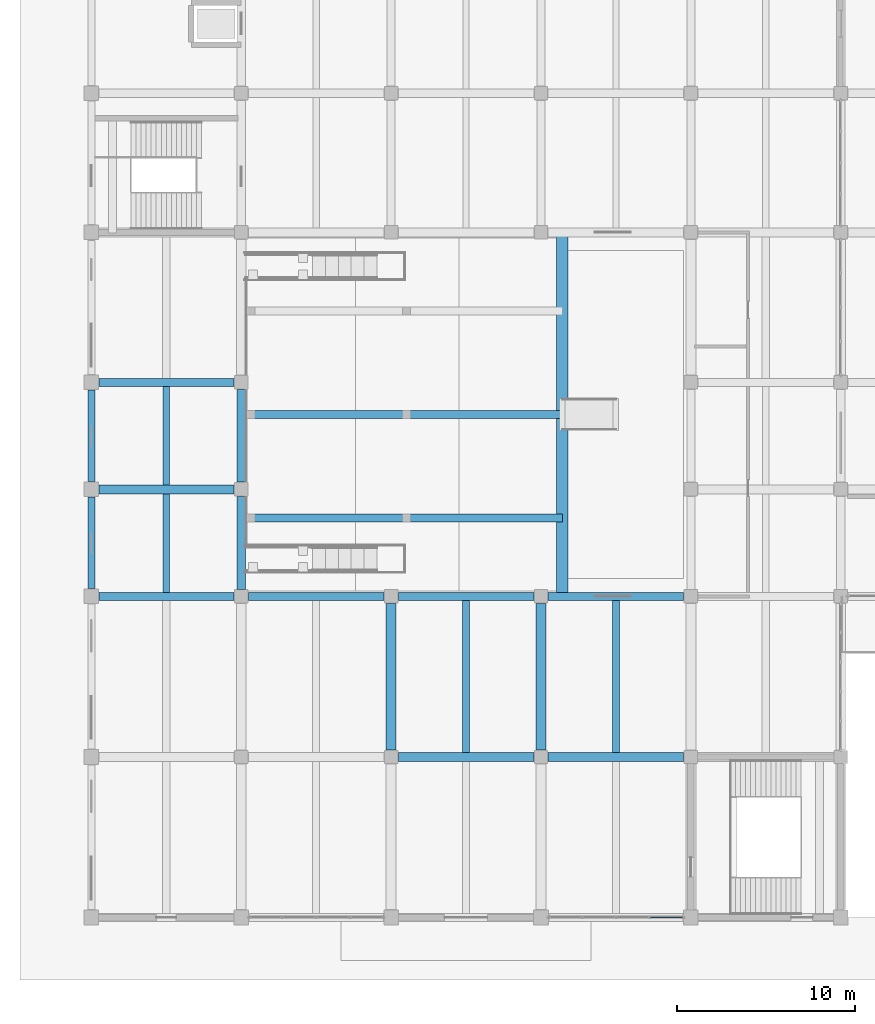
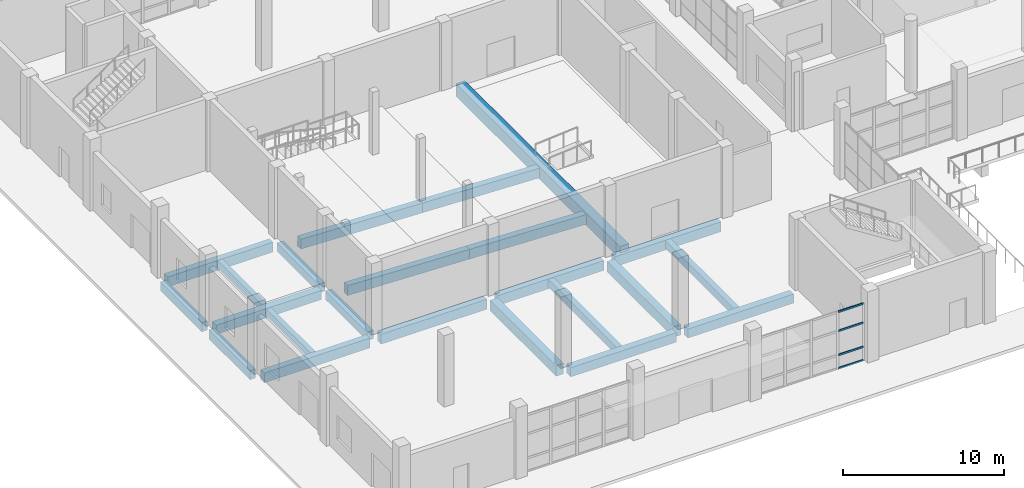
# One storey, part 8 of 78: 23 beams, 4 members, 1 element without a shape of its own.
"""IFC4 building model written with IfcOpenShell, lengths in metres."""

from ifc_helpers import new_model, si_unit, direction, frame, origin, origin_2d, place, context, subcontext, project, spatial, rectangle, hollow_rectangle, extrude, material, material_profile, profile_set, type_object, element, aggregate, save


model = new_model("IFC4")

# Units and contexts
model_context = context("Model", 3, precision=1e-05, world=origin(), true_north=direction((0.0, 1.0)))
body_context = subcontext(model_context, "Body", "Model", "MODEL_VIEW")
ifc_project = project(units=[si_unit("LENGTHUNIT", "METRE"), si_unit("AREAUNIT", "SQUARE_METRE"), si_unit("VOLUMEUNIT", "CUBIC_METRE"), si_unit("PLANEANGLEUNIT", "RADIAN"), si_unit("MASSUNIT", "GRAM", prefix="KILO")], contexts=[model_context])

# Site, building, storey
site_placement = place(None, origin())
site = spatial("IfcSite", under=ifc_project, at=site_placement, CompositionType="ELEMENT")
building_placement = place(site_placement, origin())
building = spatial("IfcBuilding", under=site, at=building_placement, Name="Pellamere Symphony Hall", CompositionType="ELEMENT")
storey_placement = place(building_placement, origin())
storey = spatial("IfcBuildingStorey", under=building, at=storey_placement, Name="L00", CompositionType="ELEMENT", Elevation=0.0)

# Curtain wall, members
ifc_material_1 = material(Name="Thermally Broken Anodised Aluminium 6063-T6 Curtain Wall", Category="aluminium")
curtain_wall_type = type_object("IfcCurtainWallType", Name="Curtain Wall CW-04 (Chamber Music Lobby Curtain Wall)", PredefinedType="NOTDEFINED", material=ifc_material_1)
curtain_wall_placement = place(storey_placement, origin())
curtain_wall = element("IfcCurtainWall", 1, at=curtain_wall_placement, inside=storey, type_object=curtain_wall_type, Name="Chamber Lobby South Curtain Wall (L00 Bay 2)", PredefinedType="NOTDEFINED")
ifc_material_2 = material(Name="Anodised Architectural Aluminium 6063-T6", Category="aluminium")
ifc_material_profile_1 = material_profile(ifc_material_2, hollow_rectangle(XDim=0.06494140625, YDim=0.139892578125, WallThickness=0.00390625, at=origin_2d()), Name="ALU-T65X140X4")
ifc_profile_set_1 = profile_set([ifc_material_profile_1], Name="Anodised Architectural Aluminium 6063-T6")
member_type = type_object("IfcMemberType", Name="Curtain Wall Transom TR-02 ALU-T65X140X4", PredefinedType="USERDEFINED", material=ifc_profile_set_1)
member_1_placement = place(storey_placement, frame((31.327392578125, 0.0, 0.032470703125), z_axis=(1.0, 0.0, 0.0), x_axis=(0.0, 1.0, 0.0)))
member_1 = element("IfcMember", 2, at=member_1_placement, type_object=member_type, Name="CW4-108 crystal transom 4.1", ObjectType="TRANSOM", PredefinedType="USERDEFINED", context=body_context, shape_type="SweptSolid", body=[
    extrude(hollow_rectangle(XDim=0.06494140625, YDim=0.139892578125, WallThickness=0.00390625, at=origin_2d()), origin(), (0.0, 0.0, 1.0), 1.797607421875),
])
member_2_placement = place(storey_placement, frame((31.327392578125, 0.0, 1.0439453125), z_axis=(1.0, 0.0, 0.0), x_axis=(0.0, 1.0, 0.0)))
member_2 = element("IfcMember", 3, at=member_2_placement, type_object=member_type, Name="CW4-108 crystal transom 4.2", ObjectType="TRANSOM", PredefinedType="USERDEFINED", context=body_context, shape_type="SweptSolid", body=[
    extrude(hollow_rectangle(XDim=0.06494140625, YDim=0.139892578125, WallThickness=0.00390625, at=origin_2d()), origin(), (0.0, 0.0, 1.0), 1.797607421875),
])
member_3_placement = place(storey_placement, frame((31.327392578125, 0.0, 2.87109375), z_axis=(1.0, 0.0, 0.0), x_axis=(0.0, 1.0, 0.0)))
member_3 = element("IfcMember", 4, at=member_3_placement, type_object=member_type, Name="CW4-108 crystal transom 4.3", ObjectType="TRANSOM", PredefinedType="USERDEFINED", context=body_context, shape_type="SweptSolid", body=[
    extrude(hollow_rectangle(XDim=0.06494140625, YDim=0.139892578125, WallThickness=0.00390625, at=origin_2d()), origin(), (0.0, 0.0, 1.0), 1.797607421875),
])
member_4_placement = place(storey_placement, frame((31.327392578125, 0.0, 4.3173828125), z_axis=(1.0, 0.0, 0.0), x_axis=(0.0, 1.0, 0.0)))
member_4 = element("IfcMember", 5, at=member_4_placement, type_object=member_type, Name="CW4-108 crystal transom 4.4", ObjectType="TRANSOM", PredefinedType="USERDEFINED", context=body_context, shape_type="SweptSolid", body=[
    extrude(hollow_rectangle(XDim=0.06494140625, YDim=0.139892578125, WallThickness=0.00390625, at=origin_2d()), origin(), (0.0, 0.0, 1.0), 1.797607421875),
])
aggregate(curtain_wall, [member_1, member_2, member_3, member_4])

# Beams
ifc_material_3 = material(Name="Concrete 40 MPa", Category="concrete")
ifc_material_profile_2 = material_profile(ifc_material_3, rectangle(XDim=0.64990234375, YDim=0.949951171875, at=origin_2d()), Name="RC 650x950")
ifc_profile_set_2 = profile_set([ifc_material_profile_2], Name="Concrete 40 MPa")
beam_type_1 = type_object("IfcBeamType", Name="RC CB-03 650x950", PredefinedType="BEAM", material=ifc_profile_set_2)
beam_1_placement = place(storey_placement, frame((26.39990234375, 18.0, -0.300048828125), z_axis=(0.0, 1.0, 0.0), x_axis=(-1.0, 0.0, 0.0)))
element("IfcBeam", 6, at=beam_1_placement, inside=storey, type_object=beam_type_1, Name="Stand Chamber Stalls Raker Support Girder 61", PredefinedType="BEAM", context=body_context, shape_type="SweptSolid", body=[
    extrude(rectangle(XDim=0.64990234375, YDim=0.949951171875, at=origin_2d()), origin(), (0.0, 0.0, 1.0), 20.39990234375),
])
ifc_material_profile_3 = material_profile(ifc_material_3, rectangle(XDim=0.550048828125, YDim=0.800048828125, at=origin_2d()), Name="RC 550x800")
ifc_profile_set_3 = profile_set([ifc_material_profile_3], Name="Concrete 40 MPa")
beam_type_2 = type_object("IfcBeamType", Name="RC CB-05 550x800", PredefinedType="BEAM", material=ifc_profile_set_3)
for number, where, z_axis, x_axis, name in (
    (7, (16.800048828125, 9.39990234375, -0.699951171875), (0.0, 1.0, 0.0), (-1.0, 0.0, 0.0), "Girder CB-05-Y0212 (L00)"),
    (8, (25.199951171875, 9.39990234375, -0.699951171875), (0.0, 1.0, 0.0), (-1.0, 0.0, 0.0), "Girder CB-05-Y0216 (L00)"),
):
    element("IfcBeam", number, at=place(storey_placement, frame(where, z_axis=z_axis, x_axis=x_axis)), inside=storey, type_object=beam_type_2, Name=name, PredefinedType="BEAM", context=body_context, shape_type="SweptSolid", body=[
        extrude(rectangle(XDim=0.550048828125, YDim=0.800048828125, at=origin_2d()), origin(), (0.0, 0.0, 1.0), 8.2001953125),
    ])
ifc_material_profile_4 = material_profile(ifc_material_3, rectangle(XDim=0.5, YDim=0.699951171875, at=origin_2d()), Name="RC 500x700")
ifc_profile_set_4 = profile_set([ifc_material_profile_4], Name="Concrete 40 MPa")
beam_type_3 = type_object("IfcBeamType", Name="RC CB-07 500x700", PredefinedType="BEAM", material=ifc_profile_set_4)
beam_2_placement = place(storey_placement, frame((17.199951171875, 9.0, -0.64990234375), z_axis=(1.0, 0.0, 0.0), x_axis=(0.0, 1.0, 0.0)))
element("IfcBeam", 9, at=beam_2_placement, inside=storey, type_object=beam_type_3, Name="Girder CB-07-X0008 (L00)", PredefinedType="BEAM", context=body_context, shape_type="SweptSolid", body=[
    extrude(rectangle(XDim=0.5, YDim=0.699951171875, at=origin_2d()), origin(), (0.0, 0.0, 1.0), 7.60009765625),
])
beam_3_placement = place(storey_placement, frame((25.60009765625, 9.0, -0.64990234375), z_axis=(1.0, 0.0, 0.0), x_axis=(0.0, 1.0, 0.0)))
element("IfcBeam", 10, at=beam_3_placement, inside=storey, type_object=beam_type_3, Name="Girder CB-07-X0009 (L00)", PredefinedType="BEAM", context=body_context, shape_type="SweptSolid", body=[
    extrude(rectangle(XDim=0.5, YDim=0.699951171875, at=origin_2d()), origin(), (0.0, 0.0, 1.0), 7.599853515625),
])
beam_4_placement = place(storey_placement, frame((0.43994140625, 24.0, -0.64990234375), z_axis=(1.0, 0.0, 0.0), x_axis=(0.0, 1.0, 0.0)))
element("IfcBeam", 11, at=beam_4_placement, inside=storey, type_object=beam_type_3, Name="Girder CB-07-X0032 (L00)", PredefinedType="BEAM", context=body_context, shape_type="SweptSolid", body=[
    extrude(rectangle(XDim=0.5, YDim=0.699951171875, at=origin_2d()), origin(), (0.0, 0.0, 1.0), 7.56005859375),
])
ifc_material_profile_5 = material_profile(ifc_material_3, rectangle(XDim=0.449951171875, YDim=0.64990234375, at=origin_2d()), Name="RC 450x650")
ifc_profile_set_5 = profile_set([ifc_material_profile_5], Name="Concrete 40 MPa")
beam_type_4 = type_object("IfcBeamType", Name="RC CB-08 450x650", PredefinedType="BEAM", material=ifc_profile_set_5)
for number, where, z_axis, x_axis, name in (
    (12, (8.39990234375, 18.39990234375, -0.625), (0.0, 1.0, 0.0), (-1.0, 0.0, 0.0), "Girder CB-08-Y0206 (L00)"),
    (13, (8.39990234375, 24.39990234375, -0.625), (0.0, 1.0, 0.0), (-1.0, 0.0, 0.0), "Girder CB-08-Y0207 (L00)"),
):
    element("IfcBeam", number, at=place(storey_placement, frame(where, z_axis=z_axis, x_axis=x_axis)), inside=storey, type_object=beam_type_4, Name=name, PredefinedType="BEAM", context=body_context, shape_type="SweptSolid", body=[
        extrude(rectangle(XDim=0.449951171875, YDim=0.64990234375, at=origin_2d()), origin(), (0.0, 0.0, 1.0), 5.2001953125),
    ])
ifc_material_profile_6 = material_profile(ifc_material_3, rectangle(XDim=0.39990234375, YDim=0.60009765625, at=origin_2d()), Name="RC 400x600")
ifc_profile_set_6 = profile_set([ifc_material_profile_6], Name="Concrete 40 MPa")
beam_type_5 = type_object("IfcBeamType", Name="RC CB-09 400x600", PredefinedType="BEAM", material=ifc_profile_set_6)
for number, where, z_axis, x_axis, name in (
    (14, (21.0, 9.25, -0.614990234375), (0.0, 1.0, 0.0), (-1.0, 0.0, 0.0), "Secondary Floor Beam CB-09-M0201 (L00)"),
    (15, (29.39990234375, 9.25, -0.614990234375), (0.0, 1.0, 0.0), (-1.0, 0.0, 0.0), "Secondary Floor Beam CB-09-M0301 (L00)"),
):
    element("IfcBeam", number, at=place(storey_placement, frame(where, z_axis=z_axis, x_axis=x_axis)), inside=storey, type_object=beam_type_5, Name=name, PredefinedType="BEAM", context=body_context, shape_type="SweptSolid", body=[
        extrude(rectangle(XDim=0.39990234375, YDim=0.60009765625, at=origin_2d()), origin(), (0.0, 0.0, 1.0), 8.52490234375),
    ])
ifc_material_4 = material(Name="Concrete 35 MPa", Category="concrete")
ifc_material_profile_7 = material_profile(ifc_material_4, rectangle(XDim=0.35009765625, YDim=0.550048828125, at=origin_2d()), Name="RC 350x550")
ifc_profile_set_7 = profile_set([ifc_material_profile_7], Name="Concrete 35 MPa")
beam_type_6 = type_object("IfcBeamType", Name="RC CB-10 350x550", PredefinedType="BEAM", material=ifc_profile_set_7)
for number, where, z_axis, x_axis, name in (
    (16, (4.199951171875, 18.22509765625, -0.590087890625), (0.0, 1.0, 0.0), (-1.0, 0.0, 0.0), "Secondary Floor Beam CB-10-M0002 (L00)"),
    (17, (4.199951171875, 24.25, -0.590087890625), (0.0, 1.0, 0.0), (-1.0, 0.0, 0.0), "Secondary Floor Beam CB-10-M0003 (L00)"),
):
    element("IfcBeam", number, at=place(storey_placement, frame(where, z_axis=z_axis, x_axis=x_axis)), inside=storey, type_object=beam_type_6, Name=name, PredefinedType="BEAM", context=body_context, shape_type="SweptSolid", body=[
        extrude(rectangle(XDim=0.35009765625, YDim=0.550048828125, at=origin_2d()), origin(), (0.0, 0.0, 1.0), 5.52490234375),
    ])
ifc_material_profile_8 = material_profile(ifc_material_3, rectangle(XDim=0.449951171875, YDim=0.75, at=origin_2d()), Name="RC 450x750")
ifc_profile_set_8 = profile_set([ifc_material_profile_8], Name="Concrete 40 MPa")
beam_type_7 = type_object("IfcBeamType", Name="RC CB-12 450x750", PredefinedType="SPANDREL", material=ifc_profile_set_8)
beam_5_placement = place(storey_placement, frame((0.43994140625, 18.0, -0.675048828125), z_axis=(1.0, 0.0, 0.0), x_axis=(0.0, 1.0, 0.0)))
element("IfcBeam", 18, at=beam_5_placement, inside=storey, type_object=beam_type_7, Name="Girder CB-12-X0011 (L00)", PredefinedType="SPANDREL", context=body_context, shape_type="SweptSolid", body=[
    extrude(rectangle(XDim=0.449951171875, YDim=0.75, at=origin_2d()), origin(), (0.0, 0.0, 1.0), 7.56005859375),
])
beam_6_placement = place(storey_placement, frame((8.800048828125, 18.0, -0.675048828125), z_axis=(1.0, 0.0, 0.0), x_axis=(0.0, 1.0, 0.0)))
element("IfcBeam", 19, at=beam_6_placement, inside=storey, type_object=beam_type_7, Name="Girder CB-12-X0012 (L00)", PredefinedType="SPANDREL", context=body_context, shape_type="SweptSolid", body=[
    extrude(rectangle(XDim=0.449951171875, YDim=0.75, at=origin_2d()), origin(), (0.0, 0.0, 1.0), 7.599853515625),
])
beam_7_placement = place(storey_placement, frame((17.199951171875, 18.0, -0.675048828125), z_axis=(1.0, 0.0, 0.0), x_axis=(0.0, 1.0, 0.0)))
element("IfcBeam", 20, at=beam_7_placement, inside=storey, type_object=beam_type_7, Name="Girder CB-12-X0013 (L00)", PredefinedType="SPANDREL", context=body_context, shape_type="SweptSolid", body=[
    extrude(rectangle(XDim=0.449951171875, YDim=0.75, at=origin_2d()), origin(), (0.0, 0.0, 1.0), 7.60009765625),
])
beam_8_placement = place(storey_placement, frame((25.60009765625, 18.0, -0.675048828125), z_axis=(1.0, 0.0, 0.0), x_axis=(0.0, 1.0, 0.0)))
element("IfcBeam", 21, at=beam_8_placement, inside=storey, type_object=beam_type_7, Name="Girder CB-12-X0014 (L00)", PredefinedType="SPANDREL", context=body_context, shape_type="SweptSolid", body=[
    extrude(rectangle(XDim=0.449951171875, YDim=0.75, at=origin_2d()), origin(), (0.0, 0.0, 1.0), 7.599853515625),
])
beam_9_placement = place(storey_placement, frame((0.43994140625, 30.0, -0.675048828125), z_axis=(1.0, 0.0, 0.0), x_axis=(0.0, 1.0, 0.0)))
element("IfcBeam", 22, at=beam_9_placement, inside=storey, type_object=beam_type_7, Name="Girder CB-12-X0050 (L00)", PredefinedType="SPANDREL", context=body_context, shape_type="SweptSolid", body=[
    extrude(rectangle(XDim=0.449951171875, YDim=0.75, at=origin_2d()), origin(), (0.0, 0.0, 1.0), 7.56005859375),
])
ifc_material_profile_9 = material_profile(ifc_material_3, rectangle(XDim=0.39990234375, YDim=0.699951171875, at=origin_2d()), Name="RC 400x700")
ifc_profile_set_9 = profile_set([ifc_material_profile_9], Name="Concrete 40 MPa")
beam_type_8 = type_object("IfcBeamType", Name="RC CB-13 400x700", PredefinedType="SPANDREL", material=ifc_profile_set_9)
for number, where, z_axis, x_axis, name in (
    (23, (0.0, 18.43994140625, -0.64990234375), (0.0, 1.0, 0.0), (-1.0, 0.0, 0.0), "Girder CB-13-Y0199 (L00)"),
    (24, (0.0, 24.43994140625, -0.64990234375), (0.0, 1.0, 0.0), (-1.0, 0.0, 0.0), "Girder CB-13-Y0200 (L00)"),
):
    element("IfcBeam", number, at=place(storey_placement, frame(where, z_axis=z_axis, x_axis=x_axis)), inside=storey, type_object=beam_type_8, Name=name, PredefinedType="SPANDREL", context=body_context, shape_type="SweptSolid", body=[
        extrude(rectangle(XDim=0.39990234375, YDim=0.699951171875, at=origin_2d()), origin(), (0.0, 0.0, 1.0), 5.1201171875),
    ])
ifc_material_profile_10 = material_profile(ifc_material_3, rectangle(XDim=0.4599609375, YDim=0.739990234375, at=origin_2d()), Name="RC 460x740")
ifc_profile_set_10 = profile_set([ifc_material_profile_10], Name="Concrete 40 MPa")
beam_type_9 = type_object("IfcBeamType", Name="RC RK-04 460x740", PredefinedType="BEAM", material=ifc_profile_set_10)
beam_10_placement = place(storey_placement, frame((26.39990234375, 22.39990234375, -0.300048828125), z_axis=(-0.999409183561, 0.0, 0.034369809626), x_axis=(0.0, -1.0, 0.0)))
element("IfcBeam", 25, at=beam_10_placement, inside=storey, type_object=beam_type_9, Name="Stand Chamber Stalls Raker Beam RK-04-062", PredefinedType="BEAM", context=body_context, shape_type="SweptSolid", body=[
    extrude(rectangle(XDim=0.4599609375, YDim=0.739990234375, at=origin_2d()), origin(), (0.0, 0.0, 1.0), 8.72998046875),
])
beam_11_placement = place(storey_placement, frame((17.675048828125, 22.39990234375, 0.0), z_axis=(-0.999409216595, 0.0, 0.034368849046), x_axis=(0.0, -1.0, 0.0)))
element("IfcBeam", 26, at=beam_11_placement, inside=storey, type_object=beam_type_9, Name="Stand Chamber Stalls Raker Beam RK-04-063", PredefinedType="BEAM", context=body_context, shape_type="SweptSolid", body=[
    extrude(rectangle(XDim=0.4599609375, YDim=0.739990234375, at=origin_2d()), origin(), (0.0, 0.0, 1.0), 8.730224609375),
])
beam_12_placement = place(storey_placement, frame((26.39990234375, 28.199951171875, -0.300048828125), z_axis=(-0.999409183561, 0.0, 0.034369809626), x_axis=(0.0, -1.0, 0.0)))
element("IfcBeam", 27, at=beam_12_placement, inside=storey, type_object=beam_type_9, Name="Stand Chamber Stalls Raker Beam RK-04-064", PredefinedType="BEAM", context=body_context, shape_type="SweptSolid", body=[
    extrude(rectangle(XDim=0.4599609375, YDim=0.739990234375, at=origin_2d()), origin(), (0.0, 0.0, 1.0), 8.72998046875),
])
beam_13_placement = place(storey_placement, frame((17.675048828125, 28.199951171875, 0.0), z_axis=(-0.999409216595, 0.0, 0.034368849046), x_axis=(0.0, -1.0, 0.0)))
element("IfcBeam", 28, at=beam_13_placement, inside=storey, type_object=beam_type_9, Name="Stand Chamber Stalls Raker Beam RK-04-065", PredefinedType="BEAM", context=body_context, shape_type="SweptSolid", body=[
    extrude(rectangle(XDim=0.4599609375, YDim=0.739990234375, at=origin_2d()), origin(), (0.0, 0.0, 1.0), 8.730224609375),
])

save(model, "model.ifc")
